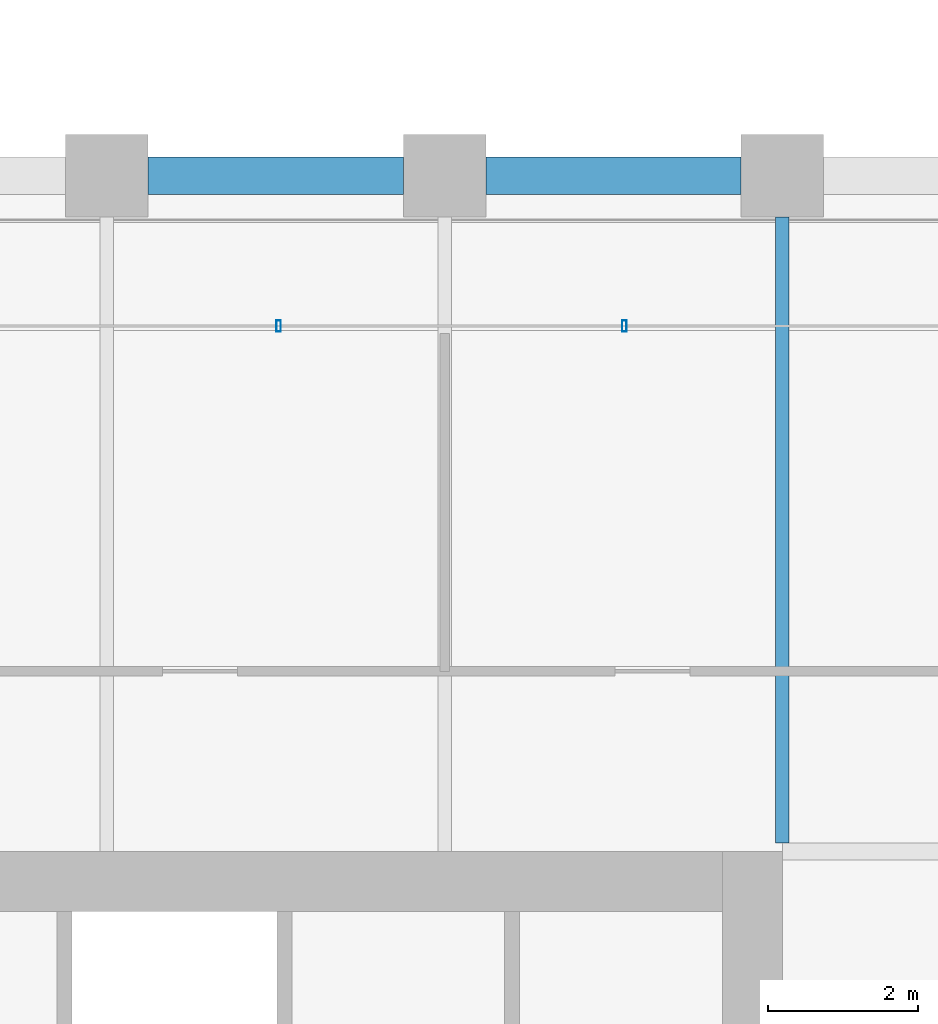
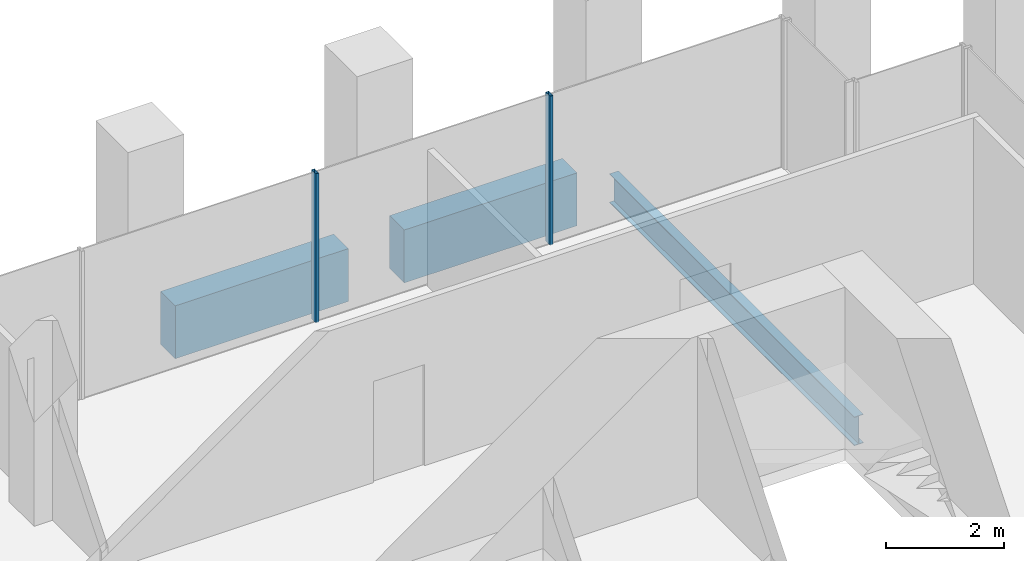
# One storey, part 44 of 56: 3 beams, 2 members, 1 element without a shape of its own.
"""IFC4 building model written with IfcOpenShell, lengths in metres."""

from ifc_helpers import new_model, si_unit, direction, frame, origin, origin_2d, place, context, subcontext, project, spatial, rectangle, hollow_rectangle, i_section, extrude, material, material_profile, profile_set, type_object, element, aggregate, save


model = new_model("IFC4")

# Units and contexts
model_context = context("Model", 3, precision=1e-05, world=origin(), true_north=direction((0.0, 1.0)))
body_context = subcontext(model_context, "Body", "Model", "MODEL_VIEW")
ifc_project = project(units=[si_unit("LENGTHUNIT", "METRE"), si_unit("AREAUNIT", "SQUARE_METRE"), si_unit("VOLUMEUNIT", "CUBIC_METRE"), si_unit("PLANEANGLEUNIT", "RADIAN"), si_unit("MASSUNIT", "GRAM", prefix="KILO")], contexts=[model_context])

# Site, building, storey
site_placement = place(None, origin())
site = spatial("IfcSite", under=ifc_project, at=site_placement, CompositionType="ELEMENT")
building_placement = place(site_placement, origin())
building = spatial("IfcBuilding", under=site, at=building_placement, Name="Altepetl Exchange Towers", CompositionType="ELEMENT")
storey_placement = place(building_placement, frame((0.0, 0.0, 72.60009765625)))
storey = spatial("IfcBuildingStorey", under=building, at=storey_placement, Name="L17", CompositionType="ELEMENT", Elevation=72.60009765625)

# Beam
ifc_material_1 = material(Name="Steel S355", Category="steel")
ifc_material_profile_1 = material_profile(ifc_material_1, i_section(OverallWidth=0.177978515625, OverallDepth=0.59912109375, WebThickness=0.010009765625, FlangeThickness=0.0126953125, at=origin_2d()), Name="W24X55")
ifc_profile_set_1 = profile_set([ifc_material_profile_1], Name="Steel S355")
beam_type_1 = type_object("IfcBeamType", Name="Floor beam W24X55", PredefinedType="BEAM", material=ifc_profile_set_1)
beam_placement = place(storey_placement, frame((117.0, 49.614013671875, -0.44970703125), z_axis=(0.0, 1.0, 0.0), x_axis=(-1.0, 0.0, 0.0)))
element("IfcBeam", 1, at=beam_placement, inside=storey, type_object=beam_type_1, Name="bm:B:L17:002", PredefinedType="BEAM", context=body_context, shape_type="SweptSolid", body=[
    extrude(i_section(OverallWidth=0.177978515625, OverallDepth=0.59912109375, WebThickness=0.010009765625, FlangeThickness=0.0126953125, at=origin_2d()), origin(), (0.0, 0.0, 1.0), 8.3359375),
])

# Curtain wall, members
ifc_material_2 = material(Name="Aluminium 6063-T6 glazing", Category="aluminium")
curtain_wall_type = type_object("IfcCurtainWallType", Name="Loggia glazing system", PredefinedType="NOTDEFINED", material=ifc_material_2)
curtain_wall_placement = place(storey_placement, origin())
curtain_wall = element("IfcCurtainWall", 2, at=curtain_wall_placement, inside=storey, type_object=curtain_wall_type, Name="CW1 run", PredefinedType="NOTDEFINED")
ifc_material_3 = material(Name="Aluminium 6063-T6", Category="aluminium")
ifc_material_profile_2 = material_profile(ifc_material_3, hollow_rectangle(XDim=0.06005859375, YDim=0.14990234375, WallThickness=0.0029296875, at=origin_2d()), Name="Mullion 60x150 aluminium")
ifc_profile_set_2 = profile_set([ifc_material_profile_2], Name="Aluminium 6063-T6")
member_type = type_object("IfcMemberType", Name="Mullion 60x150 aluminium", PredefinedType="MULLION", material=ifc_profile_set_2)
member_1_placement = place(storey_placement, frame((114.893798828125, 56.5, 0.0), z_axis=(0.0, 0.0, 1.0), x_axis=(-1.0, 0.0, 0.0)))
member_1 = element("IfcMember", 3, at=member_1_placement, type_object=member_type, Name="MU1 mullion", PredefinedType="MULLION", context=body_context, shape_type="SweptSolid", body=[
    extrude(hollow_rectangle(XDim=0.06005859375, YDim=0.14990234375, WallThickness=0.0029296875, at=origin_2d()), origin(), (0.0, 0.0, 1.0), 3.099853515625),
])
member_2_placement = place(storey_placement, frame((110.28759765625, 56.5, 0.0), z_axis=(0.0, 0.0, 1.0), x_axis=(-1.0, 0.0, 0.0)))
member_2 = element("IfcMember", 4, at=member_2_placement, type_object=member_type, Name="MU1 mullion", PredefinedType="MULLION", context=body_context, shape_type="SweptSolid", body=[
    extrude(hollow_rectangle(XDim=0.06005859375, YDim=0.14990234375, WallThickness=0.0029296875, at=origin_2d()), origin(), (0.0, 0.0, 1.0), 3.099853515625),
])
aggregate(curtain_wall, [member_1, member_2])

# Beams
ifc_material_4 = material(Name="Concrete C50/60 precast with cantera amarilla facing", Category="concrete")
ifc_material_profile_3 = material_profile(ifc_material_4, rectangle(XDim=0.5, YDim=1.10009765625, at=origin_2d()), Name="500 x 1100")
ifc_profile_set_3 = profile_set([ifc_material_profile_3], Name="Concrete C50/60 precast with cantera amarilla facing")
beam_type_2 = type_object("IfcBeamType", Name="Spandrel beam 500x1100 cantera amarilla", PredefinedType="SPANDREL", material=ifc_profile_set_3)
for number, where, z_axis, x_axis, name in (
    (5, (116.449951171875, 58.5, -0.7001953125), (-1.0, 0.0, 0.0), (0.0, -1.0, 0.0), "sp:B:L17:019"),
    (6, (111.949951171875, 58.5, -0.7001953125), (-1.0, 0.0, 0.0), (0.0, -1.0, 0.0), "sp:B:L17:020"),
):
    element("IfcBeam", number, at=place(storey_placement, frame(where, z_axis=z_axis, x_axis=x_axis)), inside=storey, type_object=beam_type_2, Name=name, PredefinedType="SPANDREL", context=body_context, shape_type="SweptSolid", body=[
        extrude(rectangle(XDim=0.5, YDim=1.10009765625, at=origin_2d()), origin(), (0.0, 0.0, 1.0), 3.39990234375),
    ])

save(model, "model.ifc")
